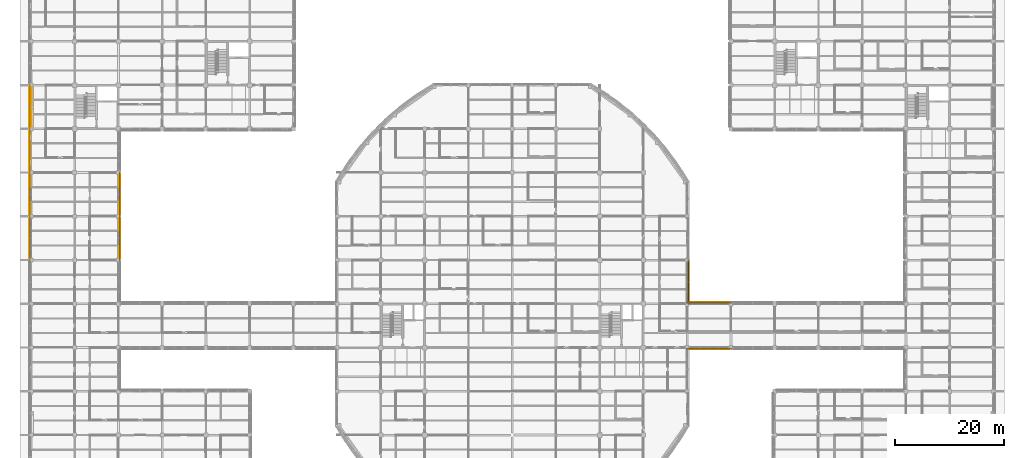
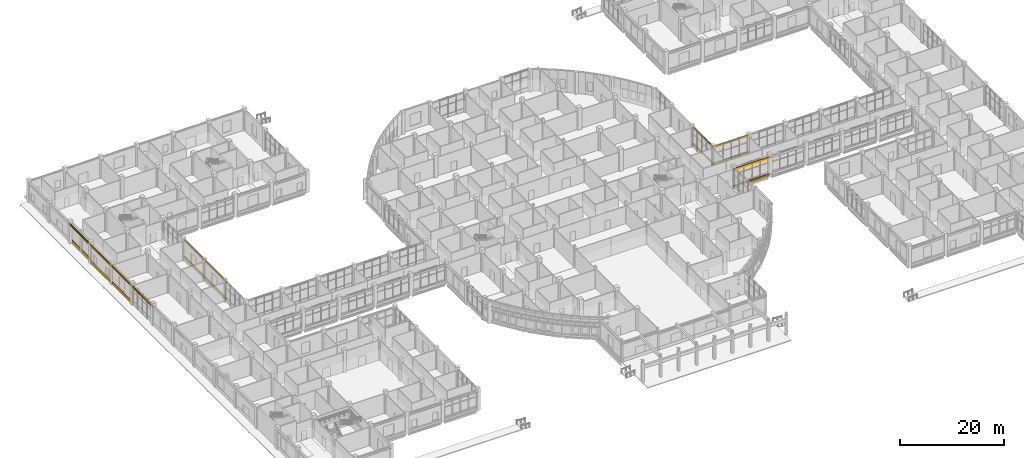
# One storey, part 98 of 105: 19 coverings, 9 shading devices.
"""IFC4 building model written with IfcOpenShell, lengths in metres."""

from ifc_helpers import new_model, si_unit, derived_unit, direction, frame, origin, origin_2d, place, context, subcontext, project, spatial, rectangle, circle, extrude, material, layer, layer_set, material_profile, profile_set, type_object, element, save


model = new_model("IFC4")

# Units and contexts
model_context = context("Model", 3, precision=1e-05, world=origin(), true_north=direction((0.0, 1.0)))
body_context = subcontext(model_context, "Body", "Model", "MODEL_VIEW")
ifc_project = project(units=[si_unit("LENGTHUNIT", "METRE"), si_unit("AREAUNIT", "SQUARE_METRE"), si_unit("VOLUMEUNIT", "CUBIC_METRE"), si_unit("PLANEANGLEUNIT", "RADIAN"), si_unit("MASSUNIT", "GRAM", prefix="KILO"), derived_unit("THERMALTRANSMITTANCEUNIT", [(si_unit("MASSUNIT", "GRAM", prefix="KILO"), 1), (si_unit("TIMEUNIT", "SECOND"), -3), (si_unit("THERMODYNAMICTEMPERATUREUNIT", "KELVIN"), -1)])], contexts=[model_context])

# Site, building, storey
site_placement = place(None, origin())
site = spatial("IfcSite", under=ifc_project, at=site_placement, CompositionType="ELEMENT")
building_placement = place(site_placement, origin())
building = spatial("IfcBuilding", under=site, at=building_placement, Name="Veyamyaing Civic Hall", CompositionType="ELEMENT")
storey_placement = place(building_placement, origin())
storey = spatial("IfcBuildingStorey", under=building, at=storey_placement, Name="L00", CompositionType="ELEMENT", Elevation=0.0)

# Coverings
ifc_material_1 = material(Name="Buff sandstone ashlar cladding", Category="masonry")
ifc_layer_1 = layer(ifc_material_1, 0.050048828125, Name="Buff sandstone ashlar cladding")
ifc_layer_set_1 = layer_set([ifc_layer_1], Name="Buff sandstone ashlar cladding")
covering_type_1 = type_object("IfcCoveringType", Name="CL-01", PredefinedType="CLADDING", material=ifc_layer_set_1)
covering_placement = place(storey_placement, frame((-0.160888671875, 75.987548828125, 0.044921875), z_axis=(0.0, 0.0, 1.0), x_axis=(0.0, 1.0, 0.0)))
element("IfcCovering", 1, at=covering_placement, inside=storey, type_object=covering_type_1, Name="Facade spandrel cladding CL-01 L00 W 1.10", PredefinedType="CLADDING", context=body_context, shape_type="SweptSolid", body=[
    extrude(rectangle(XDim=7.22509765625, YDim=0.050048828125, at=origin_2d()), origin(), (0.0, 0.0, 1.0), 0.75),
])
for number, where, z_axis, x_axis, name in (
    (2, (-0.160888671875, 84.0, 0.044921875), (0.0, 0.0, 1.0), (0.0, 1.0, 0.0), "Facade spandrel cladding CL-01 L00 W 1.11"),
    (3, (0.138916015625, 92.0, 0.044921875), (0.0, 0.0, 1.0), (0.0, 1.0, 0.0), "Facade spandrel cladding CL-01 L00 W 1.12"),
):
    element("IfcCovering", number, at=place(storey_placement, frame(where, z_axis=z_axis, x_axis=x_axis)), inside=storey, type_object=covering_type_1, Name=name, PredefinedType="CLADDING", context=body_context, shape_type="SweptSolid", body=[
        extrude(rectangle(XDim=7.199951171875, YDim=0.050048828125, at=origin_2d()), origin(), (0.0, 0.0, 1.0), 0.75),
    ])
for number, where, z_axis, x_axis, name in (
    (4, (16.160888671875, 68.0, 0.044921875), (0.0, 0.0, 1.0), (0.0, 1.0, 0.0), "Facade spandrel cladding CL-01 L00 E 2.9"),
    (5, (16.160888671875, 76.0, 0.044921875), (0.0, 0.0, 1.0), (0.0, 1.0, 0.0), "Facade spandrel cladding CL-01 L00 E 2.10"),
):
    element("IfcCovering", number, at=place(storey_placement, frame(where, z_axis=z_axis, x_axis=x_axis)), inside=storey, type_object=covering_type_1, Name=name, PredefinedType="CLADDING", context=body_context, shape_type="SweptSolid", body=[
        extrude(rectangle(XDim=7.25, YDim=0.050048828125, at=origin_2d()), origin(), (0.0, 0.0, 1.0), 0.75),
    ])
ifc_material_2 = material(Name="White powder-coated aluminium 6063-T6", Category="aluminium")
ifc_layer_2 = layer(ifc_material_2, 0.2099609375, Name="White powder-coated aluminium 6063-T6")
ifc_layer_set_2 = layer_set([ifc_layer_2], Name="White powder-coated aluminium 6063-T6")
covering_type_2 = type_object("IfcCoveringType", Name="CL-03", PredefinedType="CLADDING", material=ifc_layer_set_2)
for number, where, z_axis, x_axis, name in (
    (6, (-0.239990234375, 68.0, 4.22998046875), (0.0, 0.0, 1.0), (0.0, 1.0, 0.0), "Continuous white head fascia ribbon CL-03 L00 W 1.9"),
    (7, (-0.239990234375, 76.0, 4.2939453125), (0.0, 0.0, 1.0), (0.0, 1.0, 0.0), "Continuous white head fascia ribbon CL-03 L00 W 1.10"),
    (8, (-0.239990234375, 84.0, 4.234130859375), (0.0, 0.0, 1.0), (0.0, 1.0, 0.0), "Continuous white head fascia ribbon CL-03 L00 W 1.11"),
    (9, (-0.239990234375, 92.0, 4.297119140625), (0.0, 0.0, 1.0), (0.0, 1.0, 0.0), "Continuous white head fascia ribbon CL-03 L00 W 1.12"),
    (10, (16.239990234375, 68.0, 4.239013671875), (0.0, 0.0, 1.0), (0.0, 1.0, 0.0), "Continuous white head fascia ribbon CL-03 L00 E 2.9"),
    (11, (16.239990234375, 68.0, 0.280029296875), (0.0, 0.0, 1.0), (0.0, 1.0, 0.0), "Continuous white sill fascia ribbon CL-03 L00 E 2.9"),
    (12, (16.239990234375, 76.0, 4.302001953125), (0.0, 0.0, 1.0), (0.0, 1.0, 0.0), "Continuous white head fascia ribbon CL-03 L00 E 2.10"),
    (13, (16.239990234375, 76.0, 0.280029296875), (0.0, 0.0, 1.0), (0.0, 1.0, 0.0), "Continuous white sill fascia ribbon CL-03 L00 E 2.10"),
):
    element("IfcCovering", number, at=place(storey_placement, frame(where, z_axis=z_axis, x_axis=x_axis)), inside=storey, type_object=covering_type_2, Name=name, PredefinedType="CLADDING", context=body_context, shape_type="SweptSolid", body=[
        extrude(rectangle(XDim=8.360107421875, YDim=0.2099609375, at=origin_2d()), origin(), (0.0, 0.0, 1.0), 0.39990234375),
    ])
for number, where, z_axis, x_axis, name in (
    (14, (120.239990234375, 60.0, 4.234130859375), (0.0, 0.0, 1.0), (0.0, 1.0, 0.0), "Continuous white head fascia ribbon CL-03 L00 E 15.8"),
    (15, (120.239990234375, 60.0, 0.280029296875), (0.0, 0.0, 1.0), (0.0, 1.0, 0.0), "Continuous white sill fascia ribbon CL-03 L00 E 15.8"),
):
    element("IfcCovering", number, at=place(storey_placement, frame(where, z_axis=z_axis, x_axis=x_axis)), inside=storey, type_object=covering_type_2, Name=name, PredefinedType="CLADDING", context=body_context, shape_type="SweptSolid", body=[
        extrude(rectangle(XDim=8.1201171875, YDim=0.2099609375, at=origin_2d()), origin(), (0.0, 0.0, 1.0), 0.39990234375),
    ])
for number, where, z_axis, x_axis, name in (
    (16, (124.0, 47.760009765625, 4.2939453125), (0.0, 0.0, 1.0), (1.0, 0.0, 0.0), "Continuous white head fascia ribbon CL-03 L00 S 16.7"),
    (17, (124.0, 47.760009765625, 0.280029296875), (0.0, 0.0, 1.0), (1.0, 0.0, 0.0), "Continuous white sill fascia ribbon CL-03 L00 S 16.7"),
    (18, (124.0, 56.239990234375, 4.234130859375), (0.0, 0.0, 1.0), (1.0, 0.0, 0.0), "Continuous white head fascia ribbon CL-03 L00 N 16.7"),
    (19, (124.0, 56.239990234375, 0.280029296875), (0.0, 0.0, 1.0), (1.0, 0.0, 0.0), "Continuous white sill fascia ribbon CL-03 L00 N 16.7"),
):
    element("IfcCovering", number, at=place(storey_placement, frame(where, z_axis=z_axis, x_axis=x_axis)), inside=storey, type_object=covering_type_2, Name=name, PredefinedType="CLADDING", context=body_context, shape_type="SweptSolid", body=[
        extrude(rectangle(XDim=8.360107421875, YDim=0.2099609375, at=origin_2d()), origin(), (0.0, 0.0, 1.0), 0.39990234375),
    ])

# Shading devices
ifc_material_profile_1 = material_profile(ifc_material_2, circle(Radius=0.110107421875, at=origin_2d()), Name="SHADE-TUBE-220")
ifc_profile_set_1 = profile_set([ifc_material_profile_1], Name="White powder-coated aluminium 6063-T6")
shading_device_type_1 = type_object("IfcShadingDeviceType", Name="SH-01", PredefinedType="USERDEFINED", material=ifc_profile_set_1)
shading_device_1_placement = place(storey_placement, frame((120.239990234375, 56.3349609375, 4.39404296875), z_axis=(0.0, 1.0, 0.0), x_axis=(-1.0, 0.0, 0.0)))
element("IfcShadingDevice", 20, at=shading_device_1_placement, inside=storey, type_object=shading_device_type_1, Name="Horizontal white sunshade ribbon SH-01 L00 E 15.8", ObjectType="SUNSHADE", PredefinedType="USERDEFINED", context=body_context, shape_type="SweptSolid", body=[
    extrude(circle(Radius=0.110107421875, at=origin_2d()), origin(), (0.0, 0.0, 1.0), 7.330078125),
])
ifc_material_profile_2 = material_profile(ifc_material_2, circle(Radius=0.090087890625, at=origin_2d()), Name="SHADE-TUBE-180")
ifc_profile_set_2 = profile_set([ifc_material_profile_2], Name="White powder-coated aluminium 6063-T6")
shading_device_type_2 = type_object("IfcShadingDeviceType", Name="SH-02", PredefinedType="USERDEFINED", material=ifc_profile_set_2)
shading_device_2_placement = place(storey_placement, frame((-0.239990234375, 64.3349609375, 4.389892578125), z_axis=(0.0, 1.0, 0.0), x_axis=(-1.0, 0.0, 0.0)))
element("IfcShadingDevice", 21, at=shading_device_2_placement, inside=storey, type_object=shading_device_type_2, Name="Horizontal white sunshade ribbon SH-02 L00 W 1.9", ObjectType="SUNSHADE", PredefinedType="USERDEFINED", context=body_context, shape_type="SweptSolid", body=[
    extrude(circle(Radius=0.090087890625, at=origin_2d()), origin(), (0.0, 0.0, 1.0), 7.330078125),
])
shading_device_3_placement = place(storey_placement, frame((-0.239990234375, 72.3349609375, 4.4541015625), z_axis=(0.0, 1.0, 0.0), x_axis=(-1.0, 0.0, 0.0)))
element("IfcShadingDevice", 22, at=shading_device_3_placement, inside=storey, type_object=shading_device_type_2, Name="Horizontal white sunshade ribbon SH-02 L00 W 1.10", ObjectType="SUNSHADE", PredefinedType="USERDEFINED", context=body_context, shape_type="SweptSolid", body=[
    extrude(circle(Radius=0.090087890625, at=origin_2d()), origin(), (0.0, 0.0, 1.0), 7.304931640625),
])
for number, where, z_axis, x_axis, name in (
    (23, (-0.239990234375, 80.360107421875, 4.39404296875), (0.0, 1.0, 0.0), (-1.0, 0.0, 0.0), "Horizontal white sunshade ribbon SH-02 L00 W 1.11"),
    (24, (-0.239990234375, 88.360107421875, 4.45703125), (0.0, 1.0, 0.0), (-1.0, 0.0, 0.0), "Horizontal white sunshade ribbon SH-02 L00 W 1.12"),
):
    element("IfcShadingDevice", number, at=place(storey_placement, frame(where, z_axis=z_axis, x_axis=x_axis)), inside=storey, type_object=shading_device_type_2, Name=name, ObjectType="SUNSHADE", PredefinedType="USERDEFINED", context=body_context, shape_type="SweptSolid", body=[
        extrude(circle(Radius=0.090087890625, at=origin_2d()), origin(), (0.0, 0.0, 1.0), 7.27978515625),
    ])
for number, where, z_axis, x_axis, name in (
    (25, (16.239990234375, 64.3349609375, 4.39892578125), (0.0, 1.0, 0.0), (-1.0, 0.0, 0.0), "Horizontal white sunshade ribbon SH-02 L00 E 2.9"),
    (26, (16.239990234375, 72.3349609375, 4.4619140625), (0.0, 1.0, 0.0), (-1.0, 0.0, 0.0), "Horizontal white sunshade ribbon SH-02 L00 E 2.10"),
    (27, (120.3349609375, 47.760009765625, 4.4541015625), (1.0, 0.0, 0.0), (0.0, 1.0, 0.0), "Horizontal white sunshade ribbon SH-02 L00 S 16.7"),
    (28, (120.3349609375, 56.239990234375, 4.39404296875), (1.0, 0.0, 0.0), (0.0, 1.0, 0.0), "Horizontal white sunshade ribbon SH-02 L00 N 16.7"),
):
    element("IfcShadingDevice", number, at=place(storey_placement, frame(where, z_axis=z_axis, x_axis=x_axis)), inside=storey, type_object=shading_device_type_2, Name=name, ObjectType="SUNSHADE", PredefinedType="USERDEFINED", context=body_context, shape_type="SweptSolid", body=[
        extrude(circle(Radius=0.090087890625, at=origin_2d()), origin(), (0.0, 0.0, 1.0), 7.330078125),
    ])

save(model, "model.ifc")
